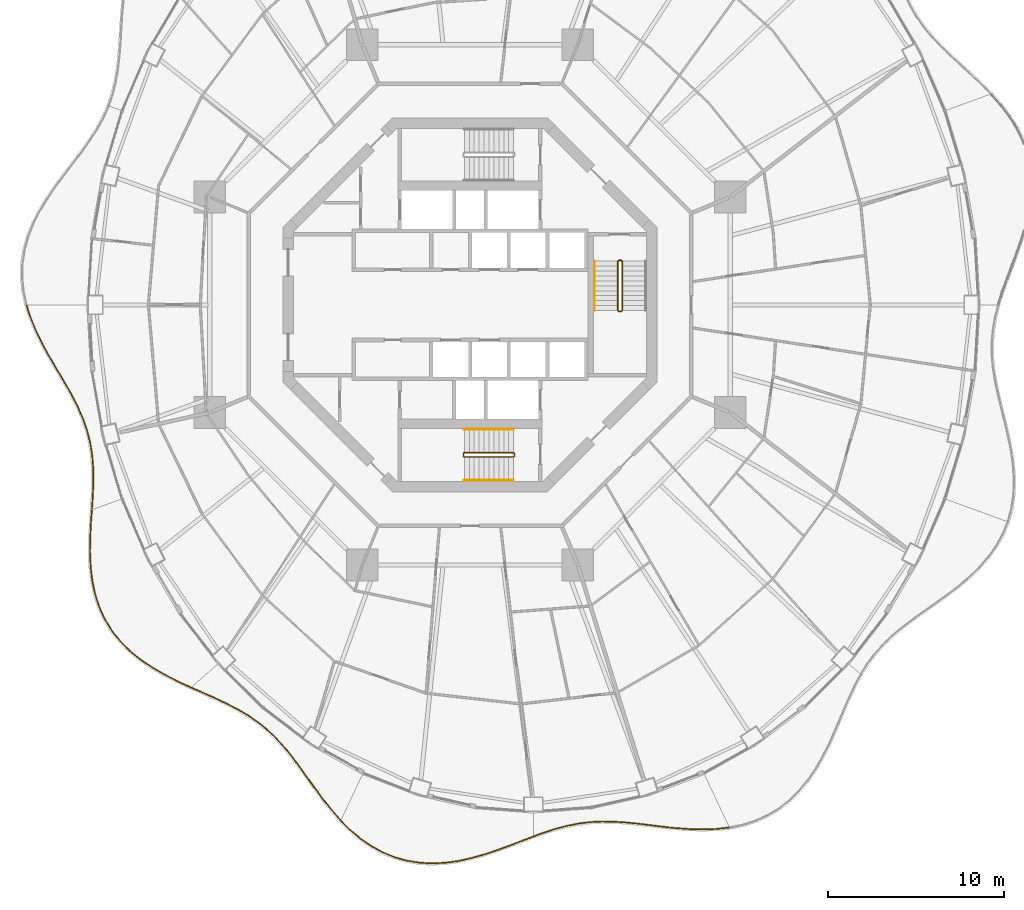
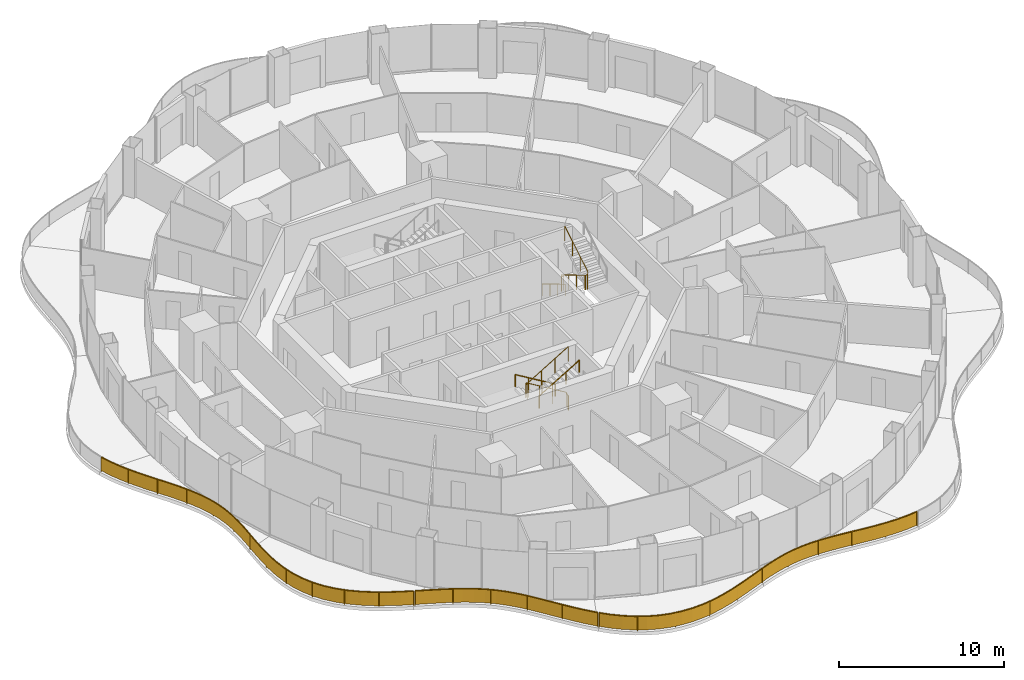
# One storey, part 17 of 19: 10 railings.
"""IFC4 building model written with IfcOpenShell, lengths in metres."""

from ifc_helpers import new_model, si_unit, direction, frame, origin, origin_2d, place, context, subcontext, project, spatial, polyline, rectangle, circle, outline, extrude, material, type_object, element, save


model = new_model("IFC4")

# Units and contexts
model_context = context("Model", 3, precision=1e-05, world=origin(), true_north=direction((0.0, 1.0)))
body_context = subcontext(model_context, "Body", "Model", "MODEL_VIEW")
ifc_project = project(units=[si_unit("LENGTHUNIT", "METRE"), si_unit("AREAUNIT", "SQUARE_METRE"), si_unit("VOLUMEUNIT", "CUBIC_METRE"), si_unit("PLANEANGLEUNIT", "RADIAN"), si_unit("MASSUNIT", "GRAM", prefix="KILO")], contexts=[model_context])

# Site, building, storey
site_placement = place(None, origin())
site = spatial("IfcSite", under=ifc_project, at=site_placement, CompositionType="ELEMENT")
building_placement = place(site_placement, origin())
building = spatial("IfcBuilding", under=site, at=building_placement, Name="Nagisa Residences", CompositionType="ELEMENT")
storey_placement = place(building_placement, frame((0.0, 0.0, 191.800048828125)))
storey = spatial("IfcBuildingStorey", under=building, at=storey_placement, Name="L48", CompositionType="ELEMENT", Elevation=191.800048828125)

# Railings
ifc_material_1 = material(Name="Stainless steel 316", Category="steel")
railing_type_1 = type_object("IfcRailingType", Name="BALCONY GUARD 1100", PredefinedType="BALUSTRADE", material=ifc_material_1)
railing_1_placement = place(storey_placement, frame((-25.190673828125, -0.036865234375, 0.0)))
element("IfcRailing", 1, at=railing_1_placement, inside=storey, type_object=railing_type_1, Name="guard:L48:bal08-0", PredefinedType="BALUSTRADE", context=body_context, shape_type="SweptSolid", body=[
    extrude(outline(polyline([(0.2607421875, -0.722900390625), (0.02392578125, 0.0078125), (-0.02392578125, -0.0078125), (0.2138671875, -0.740478515625), (0.53271484375, -1.5048828125), (0.903076171875, -2.253173828125), (1.30712890625, -2.984130859375), (1.724853515625, -3.69873046875), (2.1357421875, -4.38525390625), (2.525146484375, -5.074462890625), (2.875732421875, -5.75732421875), (3.17578125, -6.440185546875), (3.416259765625, -7.128173828125), (3.590087890625, -7.81396484375), (3.703857421875, -8.530029296875), (3.759765625, -9.2666015625), (3.766357421875, -10.0263671875), (3.736572265625, -10.809814453125), (3.6865234375, -11.5703125), (3.736328125, -11.57373046875), (3.786376953125, -10.812255859375), (3.816650390625, -10.02734375), (3.8095703125, -9.2646484375), (3.753662109375, -8.524169921875), (3.638916015625, -7.8037109375), (3.464111328125, -7.113525390625), (3.22216796875, -6.421630859375), (2.921142578125, -5.73583984375), (2.569091796875, -5.050537109375), (2.17919921875, -4.35986328125), (1.767822265625, -3.67333984375), (1.3505859375, -2.959228515625), (0.947509765625, -2.229736328125), (0.578125, -1.48388671875), (0.2607421875, -0.722900390625)])), frame((0.0, 0.0, 1.050048828125)), (0.0, 0.0, 1.0), 0.050048828125),
    extrude(outline(polyline([(0.243896484375, -0.729248046875), (0.006591796875, 0.002197265625), (-0.006591796875, -0.002197265625), (0.230712890625, -0.734130859375), (0.549072265625, -1.497314453125), (0.919189453125, -2.24462890625), (1.32275390625, -2.97509765625), (1.740234375, -3.689697265625), (2.1513671875, -4.3759765625), (2.541015625, -5.06591796875), (2.89208984375, -5.74951171875), (3.1923828125, -6.43359375), (3.43359375, -7.122802734375), (3.607666015625, -7.810302734375), (3.7216796875, -8.52783203125), (3.777587890625, -9.265869140625), (3.784423828125, -10.02685546875), (3.75439453125, -10.810791015625), (3.704345703125, -11.571533203125), (3.718505859375, -11.572509765625), (3.7685546875, -10.811279296875), (3.798583984375, -10.02685546875), (3.791748046875, -9.265380859375), (3.73583984375, -8.5263671875), (3.621337890625, -7.807373046875), (3.44677734375, -7.118896484375), (3.20556640625, -6.42822265625), (2.90478515625, -5.74365234375), (2.55322265625, -5.05908203125), (2.16357421875, -4.369140625), (1.75244140625, -3.682373046875), (1.3349609375, -2.96826171875), (0.931396484375, -2.23828125), (0.561767578125, -1.491455078125), (0.243896484375, -0.729248046875)])), frame((0.0, 0.0, 0.06005859375)), (0.0, 0.0, 1.0), 0.989990234375),
    extrude(rectangle(XDim=0.0400390625, YDim=0.0400390625, at=origin_2d()), origin(), (0.0, 0.0, 1.0), 1.050048828125),
    extrude(rectangle(XDim=0.0400390625, YDim=0.0400390625, at=origin_2d()), frame((0.765625, -1.919189453125, 0.0)), (0.0, 0.0, 1.0), 1.050048828125),
    extrude(rectangle(XDim=0.0400390625, YDim=0.0400390625, at=origin_2d()), frame((1.77099609375, -3.727294921875, 0.0)), (0.0, 0.0, 1.0), 1.050048828125),
    extrude(rectangle(XDim=0.0400390625, YDim=0.0400390625, at=origin_2d()), frame((2.786865234375, -5.529541015625, 0.0)), (0.0, 0.0, 1.0), 1.050048828125),
    extrude(rectangle(XDim=0.0400390625, YDim=0.0400390625, at=origin_2d()), frame((3.525390625, -7.45751953125, 0.0)), (0.0, 0.0, 1.0), 1.050048828125),
    extrude(rectangle(XDim=0.0400390625, YDim=0.0400390625, at=origin_2d()), frame((3.786865234375, -9.504638671875, 0.0)), (0.0, 0.0, 1.0), 1.050048828125),
    extrude(rectangle(XDim=0.0400390625, YDim=0.0400390625, at=origin_2d()), frame((3.71142578125, -11.572021484375, 0.0)), (0.0, 0.0, 1.0), 1.050048828125),
])
railing_2_placement = place(storey_placement, frame((-21.486083984375, -11.684326171875, 0.0)))
element("IfcRailing", 2, at=railing_2_placement, inside=storey, type_object=railing_type_1, Name="guard:L48:bal09-0", PredefinedType="BALUSTRADE", context=body_context, shape_type="SweptSolid", body=[
    extrude(outline(polyline([(-0.027587890625, -0.75439453125), (0.02490234375, -0.001708984375), (-0.02490234375, 0.001708984375), (-0.077392578125, -0.75146484375), (-0.11767578125, -1.560546875), (-0.128662109375, -2.374267578125), (-0.093994140625, -3.184326171875), (-0.000732421875, -3.98193359375), (0.15576171875, -4.744873046875), (0.396728515625, -5.490234375), (0.7197265625, -6.196533203125), (1.125732421875, -6.857177734375), (1.61083984375, -7.46728515625), (2.16064453125, -8.01220703125), (2.781005859375, -8.5146484375), (3.45263671875, -8.96728515625), (4.1611328125, -9.374755859375), (4.892578125, -9.744384765625), (5.59130859375, -10.064697265625), (5.6123046875, -10.019287109375), (4.9140625, -9.699462890625), (4.18505859375, -9.330810546875), (3.47900390625, -8.9248046875), (2.810791015625, -8.474609375), (2.1943359375, -7.97509765625), (1.64794921875, -7.43359375), (1.166748046875, -6.828369140625), (0.76416015625, -6.173095703125), (0.443603515625, -5.47216796875), (0.2041015625, -4.732177734375), (0.048583984375, -3.97412109375), (-0.044189453125, -3.180419921875), (-0.078369140625, -2.373291015625), (-0.06787109375, -1.56201171875), (-0.027587890625, -0.75439453125)])), frame((0.0, 0.0, 1.050048828125)), (0.0, 0.0, 1.0), 0.050048828125),
    extrude(outline(polyline([(-0.04541015625, -0.75341796875), (0.007080078125, -0.00048828125), (-0.007080078125, 0.00048828125), (-0.0595703125, -0.75244140625), (-0.099853515625, -1.56103515625), (-0.110595703125, -2.373779296875), (-0.076171875, -3.182861328125), (0.01708984375, -3.979248046875), (0.173095703125, -4.740234375), (0.41357421875, -5.483642578125), (0.73583984375, -6.188232421875), (1.140380859375, -6.8466796875), (1.624267578125, -7.455078125), (2.1728515625, -7.998779296875), (2.791748046875, -8.500244140625), (3.462158203125, -8.951904296875), (4.169677734375, -9.35888671875), (4.900390625, -9.728271484375), (5.598876953125, -10.04833984375), (5.604736328125, -10.03564453125), (4.90625, -9.715576171875), (4.176513671875, -9.3466796875), (3.469482421875, -8.940185546875), (2.800048828125, -8.489013671875), (2.18212890625, -7.988525390625), (1.634521484375, -7.44580078125), (1.152099609375, -6.8388671875), (0.748046875, -6.181396484375), (0.4267578125, -5.478759765625), (0.186767578125, -4.73681640625), (0.03076171875, -3.976806640625), (-0.06201171875, -3.181884765625), (-0.096435546875, -2.373779296875), (-0.085693359375, -1.5615234375), (-0.04541015625, -0.75341796875)])), frame((0.0, 0.0, 0.06005859375)), (0.0, 0.0, 1.0), 0.989990234375),
    extrude(rectangle(XDim=0.0400390625, YDim=0.0400390625, at=origin_2d()), origin(), (0.0, 0.0, 1.0), 1.050048828125),
    extrude(rectangle(XDim=0.0400390625, YDim=0.0400390625, at=origin_2d()), frame((-0.099853515625, -2.1044921875, 0.0)), (0.0, 0.0, 1.0), 1.050048828125),
    extrude(rectangle(XDim=0.0400390625, YDim=0.0400390625, at=origin_2d()), frame((0.069580078125, -4.200927734375, 0.0)), (0.0, 0.0, 1.0), 1.050048828125),
    extrude(rectangle(XDim=0.0400390625, YDim=0.0400390625, at=origin_2d()), frame((0.744140625, -6.1884765625, 0.0)), (0.0, 0.0, 1.0), 1.050048828125),
    extrude(rectangle(XDim=0.0400390625, YDim=0.0400390625, at=origin_2d()), frame((2.029296875, -7.846923828125, 0.0)), (0.0, 0.0, 1.0), 1.050048828125),
    extrude(rectangle(XDim=0.0400390625, YDim=0.0400390625, at=origin_2d()), frame((3.7216796875, -9.09326171875, 0.0)), (0.0, 0.0, 1.0), 1.050048828125),
    extrude(rectangle(XDim=0.0400390625, YDim=0.0400390625, at=origin_2d()), frame((5.601806640625, -10.0419921875, 0.0)), (0.0, 0.0, 1.0), 1.050048828125),
])
railing_3_placement = place(storey_placement, frame((-15.814208984375, -21.75634765625, 0.0)))
element("IfcRailing", 3, at=railing_3_placement, inside=storey, type_object=railing_type_1, Name="guard:L48:bal10-0", PredefinedType="BALUSTRADE", context=body_context, shape_type="SweptSolid", body=[
    extrude(outline(polyline([(0.668701171875, -0.266357421875), (0.010009765625, 0.02294921875), (-0.010009765625, -0.02294921875), (0.648193359375, -0.312255859375), (1.331298828125, -0.6171875), (1.98974609375, -0.927734375), (2.6171875, -1.25439453125), (3.20947265625, -1.60595703125), (3.753173828125, -1.979736328125), (4.273681640625, -2.40234375), (4.76318359375, -2.86669921875), (5.22705078125, -3.373291015625), (5.673095703125, -3.91943359375), (6.095947265625, -4.4912109375), (6.533203125, -5.09912109375), (6.9794921875, -5.722900390625), (7.444091796875, -6.3505859375), (7.934814453125, -6.968505859375), (8.4248046875, -7.52783203125), (8.46240234375, -7.49462890625), (7.973388671875, -6.936279296875), (7.483642578125, -6.3203125), (7.02001953125, -5.693603515625), (6.57373046875, -5.06982421875), (6.136474609375, -4.4619140625), (5.712646484375, -3.888671875), (5.26513671875, -3.340576171875), (4.798828125, -2.83154296875), (4.306884765625, -2.36474609375), (3.782958984375, -1.939697265625), (3.236328125, -1.56396484375), (2.6416015625, -1.21044921875), (2.01220703125, -0.8828125), (1.352294921875, -0.57177734375), (0.668701171875, -0.266357421875)])), frame((0.0, 0.0, 1.050048828125)), (0.0, 0.0, 1.0), 0.050048828125),
    extrude(outline(polyline([(0.661376953125, -0.282958984375), (0.0029296875, 0.00634765625), (-0.0029296875, -0.00634765625), (0.655517578125, -0.295654296875), (1.3388671875, -0.600830078125), (1.997802734375, -0.91162109375), (2.6259765625, -1.238525390625), (3.21923828125, -1.5908203125), (3.763916015625, -1.96533203125), (4.28564453125, -2.388916015625), (4.776123046875, -2.85400390625), (5.24072265625, -3.361572265625), (5.687255859375, -3.908447265625), (6.110595703125, -4.480712890625), (6.5478515625, -5.088623046875), (6.994140625, -5.71240234375), (7.458251953125, -6.339599609375), (7.94873046875, -6.956787109375), (8.438232421875, -7.515869140625), (8.448974609375, -7.506591796875), (7.95947265625, -6.947998046875), (7.469482421875, -6.331298828125), (7.00537109375, -5.7041015625), (6.55908203125, -5.080322265625), (6.121826171875, -4.472412109375), (5.698486328125, -3.899658203125), (5.25146484375, -3.352294921875), (4.785888671875, -2.84423828125), (4.294921875, -2.378173828125), (3.772216796875, -1.9541015625), (3.2265625, -1.5791015625), (2.6328125, -1.226318359375), (2.004150390625, -0.89892578125), (1.3447265625, -0.588134765625), (0.661376953125, -0.282958984375)])), frame((0.0, 0.0, 0.06005859375)), (0.0, 0.0, 1.0), 0.989990234375),
    extrude(rectangle(XDim=0.0400390625, YDim=0.0400390625, at=origin_2d()), origin(), (0.0, 0.0, 1.0), 1.050048828125),
    extrude(rectangle(XDim=0.0400390625, YDim=0.0400390625, at=origin_2d()), frame((2.099853515625, -0.956787109375, 0.0)), (0.0, 0.0, 1.0), 1.050048828125),
    extrude(rectangle(XDim=0.0400390625, YDim=0.0400390625, at=origin_2d()), frame((4.046875, -2.18603515625, 0.0)), (0.0, 0.0, 1.0), 1.050048828125),
    extrude(rectangle(XDim=0.0400390625, YDim=0.0400390625, at=origin_2d()), frame((5.644287109375, -3.844482421875, 0.0)), (0.0, 0.0, 1.0), 1.050048828125),
    extrude(rectangle(XDim=0.0400390625, YDim=0.0400390625, at=origin_2d()), frame((7.001708984375, -5.7109375, 0.0)), (0.0, 0.0, 1.0), 1.050048828125),
    extrude(rectangle(XDim=0.0400390625, YDim=0.0400390625, at=origin_2d()), frame((8.443603515625, -7.51123046875, 0.0)), (0.0, 0.0, 1.0), 1.050048828125),
])
railing_4_placement = place(storey_placement, frame((-7.318603515625, -29.32470703125, 0.0)))
element("IfcRailing", 4, at=railing_4_placement, inside=storey, type_object=railing_type_1, Name="guard:L48:bal11-0", PredefinedType="BALUSTRADE", context=body_context, shape_type="SweptSolid", body=[
    extrude(outline(polyline([(0.519775390625, -0.484375), (0.017578125, 0.017578125), (-0.017578125, -0.017578125), (0.486083984375, -0.521484375), (1.0615234375, -1.0078125), (1.67431640625, -1.43505859375), (2.32177734375, -1.793212890625), (3.00146484375, -2.07568359375), (3.69189453125, -2.2724609375), (4.420166015625, -2.39306640625), (5.16357421875, -2.43359375), (5.91455078125, -2.3984375), (6.66748046875, -2.295654296875), (7.398193359375, -2.1318359375), (8.13623046875, -1.92431640625), (8.86083984375, -1.683837890625), (9.5693359375, -1.423828125), (10.260986328125, -1.15869140625), (10.893310546875, -0.915283203125), (10.875244140625, -0.868408203125), (10.242919921875, -1.11181640625), (9.5517578125, -1.376953125), (8.84423828125, -1.636474609375), (8.12158203125, -1.87646484375), (7.385986328125, -2.08349609375), (6.65869140625, -2.246337890625), (5.91015625, -2.3486328125), (5.16357421875, -2.38330078125), (4.425537109375, -2.34326171875), (3.70263671875, -2.2236328125), (3.01806640625, -2.0283203125), (2.34375, -1.748291015625), (1.70068359375, -1.392578125), (1.09228515625, -0.96826171875), (0.519775390625, -0.484375)])), frame((0.0, 0.0, 1.050048828125)), (0.0, 0.0, 1.0), 0.050048828125),
    extrude(outline(polyline([(0.507568359375, -0.497802734375), (0.0048828125, 0.0048828125), (-0.0048828125, -0.0048828125), (0.498291015625, -0.508056640625), (1.07275390625, -0.99365234375), (1.683837890625, -1.419677734375), (2.329833984375, -1.777099609375), (3.007568359375, -2.05859375), (3.69580078125, -2.2548828125), (4.422119140625, -2.375244140625), (5.16357421875, -2.41552734375), (5.9130859375, -2.380615234375), (6.664306640625, -2.27783203125), (7.393798828125, -2.114501953125), (8.130859375, -1.906982421875), (8.854736328125, -1.666748046875), (9.56298828125, -1.406982421875), (10.25439453125, -1.141845703125), (10.88671875, -0.8984375), (10.8818359375, -0.88525390625), (10.24951171875, -1.128662109375), (9.55810546875, -1.393798828125), (8.850341796875, -1.653564453125), (8.126953125, -1.893798828125), (7.390380859375, -2.100830078125), (6.661865234375, -2.26416015625), (5.91162109375, -2.366455078125), (5.16357421875, -2.4013671875), (4.423583984375, -2.361083984375), (3.69873046875, -2.2412109375), (3.011962890625, -2.04541015625), (2.335693359375, -1.764404296875), (1.691162109375, -1.407958984375), (1.0810546875, -0.982421875), (0.507568359375, -0.497802734375)])), frame((0.0, 0.0, 0.06005859375)), (0.0, 0.0, 1.0), 0.989990234375),
    extrude(rectangle(XDim=0.0400390625, YDim=0.0400390625, at=origin_2d()), origin(), (0.0, 0.0, 1.0), 1.050048828125),
    extrude(rectangle(XDim=0.0400390625, YDim=0.0400390625, at=origin_2d()), frame((1.825439453125, -1.490234375, 0.0)), (0.0, 0.0, 1.0), 1.050048828125),
    extrude(rectangle(XDim=0.0400390625, YDim=0.0400390625, at=origin_2d()), frame((4.02978515625, -2.30322265625, 0.0)), (0.0, 0.0, 1.0), 1.050048828125),
    extrude(rectangle(XDim=0.0400390625, YDim=0.0400390625, at=origin_2d()), frame((6.383056640625, -2.309326171875, 0.0)), (0.0, 0.0, 1.0), 1.050048828125),
    extrude(rectangle(XDim=0.0400390625, YDim=0.0400390625, at=origin_2d()), frame((8.669677734375, -1.720947265625, 0.0)), (0.0, 0.0, 1.0), 1.050048828125),
    extrude(rectangle(XDim=0.0400390625, YDim=0.0400390625, at=origin_2d()), frame((10.88427734375, -0.891845703125, 0.0)), (0.0, 0.0, 1.0), 1.050048828125),
])
railing_5_placement = place(storey_placement, frame((3.634521484375, -30.188720703125, 0.0)))
element("IfcRailing", 5, at=railing_5_placement, inside=storey, type_object=railing_type_1, Name="guard:L48:bal12-0", PredefinedType="BALUSTRADE", context=body_context, shape_type="SweptSolid", body=[
    extrude(outline(polyline([(0.610107421875, 0.2470703125), (-0.008544921875, 0.0234375), (0.008544921875, -0.0234375), (0.626220703125, 0.19970703125), (1.27587890625, 0.406005859375), (1.919189453125, 0.573974609375), (2.560546875, 0.698486328125), (3.20556640625, 0.777099609375), (3.841064453125, 0.807861328125), (4.507080078125, 0.800048828125), (5.189208984375, 0.7568359375), (5.88916015625, 0.6875), (6.607421875, 0.602783203125), (7.32666015625, 0.510009765625), (8.076904296875, 0.431884765625), (8.836669921875, 0.377197265625), (9.6005859375, 0.357666015625), (10.361328125, 0.3857421875), (11.0634765625, 0.46337890625), (11.05810546875, 0.51318359375), (10.357421875, 0.435546875), (9.60009765625, 0.407958984375), (8.839111328125, 0.427001953125), (8.081298828125, 0.481689453125), (7.33251953125, 0.559814453125), (6.61376953125, 0.652587890625), (5.89453125, 0.7373046875), (5.193115234375, 0.806640625), (4.509033203125, 0.849853515625), (3.840087890625, 0.858154296875), (3.201171875, 0.826904296875), (2.552734375, 0.747802734375), (1.907958984375, 0.622802734375), (1.26220703125, 0.453857421875), (0.610107421875, 0.2470703125)])), frame((0.0, 0.0, 1.050048828125)), (0.0, 0.0, 1.0), 0.050048828125),
    extrude(outline(polyline([(0.615966796875, 0.22998046875), (-0.00244140625, 0.006591796875), (0.00244140625, -0.006591796875), (0.620361328125, 0.216796875), (1.27099609375, 0.423095703125), (1.9150390625, 0.591552734375), (2.5576171875, 0.71630859375), (3.203857421875, 0.794921875), (3.8408203125, 0.825927734375), (4.5078125, 0.81787109375), (5.190673828125, 0.774658203125), (5.89111328125, 0.705322265625), (6.609619140625, 0.620849609375), (7.328857421875, 0.528076171875), (8.078369140625, 0.44970703125), (8.837646484375, 0.39501953125), (9.600341796875, 0.375732421875), (10.35986328125, 0.403564453125), (11.0615234375, 0.4814453125), (11.06005859375, 0.4951171875), (10.35888671875, 0.417724609375), (9.600341796875, 0.389892578125), (8.838134765625, 0.4091796875), (8.079833984375, 0.4638671875), (7.330322265625, 0.541748046875), (6.611572265625, 0.634521484375), (5.892578125, 0.719482421875), (5.191650390625, 0.788818359375), (4.50830078125, 0.83203125), (3.84033203125, 0.840087890625), (3.202880859375, 0.80908203125), (2.5556640625, 0.72998046875), (1.912109375, 0.605224609375), (1.26708984375, 0.436767578125), (0.615966796875, 0.22998046875)])), frame((0.0, 0.0, 0.06005859375)), (0.0, 0.0, 1.0), 0.989990234375),
    extrude(rectangle(XDim=0.0400390625, YDim=0.0400390625, at=origin_2d()), origin(), (0.0, 0.0, 1.0), 1.050048828125),
    extrude(rectangle(XDim=0.0400390625, YDim=0.0400390625, at=origin_2d()), frame((2.142578125, 0.642822265625, 0.0)), (0.0, 0.0, 1.0), 1.050048828125),
    extrude(rectangle(XDim=0.0400390625, YDim=0.0400390625, at=origin_2d()), frame((4.368896484375, 0.82666015625, 0.0)), (0.0, 0.0, 1.0), 1.050048828125),
    extrude(rectangle(XDim=0.0400390625, YDim=0.0400390625, at=origin_2d()), frame((6.5986328125, 0.629150390625, 0.0)), (0.0, 0.0, 1.0), 1.050048828125),
    extrude(rectangle(XDim=0.0400390625, YDim=0.0400390625, at=origin_2d()), frame((8.826171875, 0.40283203125, 0.0)), (0.0, 0.0, 1.0), 1.050048828125),
    extrude(rectangle(XDim=0.0400390625, YDim=0.0400390625, at=origin_2d()), frame((11.060791015625, 0.48828125, 0.0)), (0.0, 0.0, 1.0), 1.050048828125),
])
ifc_material_2 = material(Name="Stainless steel", Category="steel")
railing_type_2 = type_object("IfcRailingType", Name="Stair guard 1100", PredefinedType="GUARDRAIL", material=ifc_material_2)
railing_6_placement = place(storey_placement, frame((8.599609375, 2.52490234375, 0.0)))
element("IfcRailing", 6, at=railing_6_placement, inside=storey, type_object=railing_type_2, Name="L48 ST-E stair guard 1", PredefinedType="GUARDRAIL", context=body_context, shape_type="SweptSolid", body=[
    extrude(circle(Radius=0.02392578125, at=origin_2d()), frame((0.0, 0.0, 1.076171875), z_axis=(-1.0, 0.0, 0.0), x_axis=(0.0, -1.0, 0.0)), (0.0, 0.0, 1.0), 0.14990234375),
    extrude(circle(Radius=0.02392578125, at=origin_2d()), frame((-0.14990234375, 0.0, 1.076171875), z_axis=(-0.27434429532, -0.273006030465, 0.922064485248), x_axis=(0.705375805398, -0.708833529934, 0.0)), (0.0, 0.0, 1.0), 0.182373046875),
    extrude(circle(Radius=0.02392578125, at=origin_2d()), frame((-0.199951171875, -0.0498046875, 1.244140625), z_axis=(0.0, -0.857275202839, 0.514858452973), x_axis=(1.0, 0.0, 0.0)), (0.0, 0.0, 1.0), 3.26611328125),
    extrude(circle(Radius=0.02392578125, at=origin_2d()), frame((-0.199951171875, -2.849853515625, 2.92578125), z_axis=(0.707106781187, -0.707106781187, 0.0), x_axis=(0.707106781187, 0.707106781187, 0.0)), (0.0, 0.0, 1.0), 0.07080078125),
    extrude(circle(Radius=0.02392578125, at=origin_2d()), frame((-0.14990234375, -2.89990234375, 2.92578125), z_axis=(1.0, 0.0, 0.0), x_axis=(0.0, 1.0, 0.0)), (0.0, 0.0, 1.0), 0.14990234375),
    extrude(circle(Radius=0.02392578125, at=origin_2d()), frame((0.0, -2.89990234375, 2.92578125), z_axis=(0.274243871929, 0.274243871929, 0.92172696468), x_axis=(-0.707106781187, 0.707106781187, 0.0)), (0.0, 0.0, 1.0), 0.1826171875),
    extrude(circle(Radius=0.02392578125, at=origin_2d()), frame((0.050048828125, -2.849853515625, 3.09423828125), z_axis=(0.0, 0.857242210791, 0.514913383045), x_axis=(-1.0, 0.0, 0.0)), (0.0, 0.0, 1.0), 3.266357421875),
    extrude(circle(Radius=0.02099609375, at=origin_2d()), origin(), (0.0, 0.0, 1.0), 1.052001953125),
    extrude(circle(Radius=0.02099609375, at=origin_2d()), frame((-0.14990234375, 0.0, 0.0)), (0.0, 0.0, 1.0), 1.052001953125),
    extrude(circle(Radius=0.02099609375, at=origin_2d()), frame((-0.199951171875, -0.0498046875, 0.168212890625)), (0.0, 0.0, 1.0), 1.052001953125),
    extrude(circle(Radius=0.02099609375, at=origin_2d()), frame((-0.199951171875, -0.983154296875, 0.728759765625)), (0.0, 0.0, 1.0), 1.052001953125),
    extrude(circle(Radius=0.02099609375, at=origin_2d()), frame((-0.199951171875, -1.91650390625, 1.289306640625)), (0.0, 0.0, 1.0), 1.052001953125),
    extrude(circle(Radius=0.02099609375, at=origin_2d()), frame((-0.199951171875, -2.849853515625, 1.849853515625)), (0.0, 0.0, 1.0), 1.052001953125),
    extrude(circle(Radius=0.02099609375, at=origin_2d()), frame((-0.14990234375, -2.89990234375, 1.849853515625)), (0.0, 0.0, 1.0), 1.052001953125),
    extrude(circle(Radius=0.02099609375, at=origin_2d()), frame((0.0, -2.89990234375, 1.849853515625)), (0.0, 0.0, 1.0), 1.052001953125),
    extrude(circle(Radius=0.02099609375, at=origin_2d()), frame((0.050048828125, -2.849853515625, 2.01806640625)), (0.0, 0.0, 1.0), 1.052001953125),
    extrude(circle(Radius=0.02099609375, at=origin_2d()), frame((0.050048828125, -1.91650390625, 2.57861328125)), (0.0, 0.0, 1.0), 1.052001953125),
    extrude(circle(Radius=0.02099609375, at=origin_2d()), frame((0.050048828125, -0.983154296875, 3.139404296875)), (0.0, 0.0, 1.0), 1.052001953125),
    extrude(circle(Radius=0.02099609375, at=origin_2d()), frame((0.050048828125, -0.0498046875, 3.699951171875)), (0.0, 0.0, 1.0), 1.052001953125),
])
railing_7_placement = place(storey_placement, frame((2.52490234375, -8.599609375, 0.0)))
element("IfcRailing", 7, at=railing_7_placement, inside=storey, type_object=railing_type_2, Name="L48 ST-S stair guard 1", PredefinedType="GUARDRAIL", context=body_context, shape_type="SweptSolid", body=[
    extrude(circle(Radius=0.02392578125, at=origin_2d()), frame((0.0, 0.0, 1.076171875), z_axis=(0.0, 1.0, 0.0), x_axis=(-1.0, 0.0, 0.0)), (0.0, 0.0, 1.0), 0.14990234375),
    extrude(circle(Radius=0.02392578125, at=origin_2d()), frame((0.0, 0.14990234375, 1.076171875), z_axis=(-0.273006030465, 0.27434429532, 0.922064485248), x_axis=(-0.708833529934, -0.705375805398, 0.0)), (0.0, 0.0, 1.0), 0.182373046875),
    extrude(circle(Radius=0.02392578125, at=origin_2d()), frame((-0.0498046875, 0.199951171875, 1.244140625), z_axis=(-0.857275202839, 0.0, 0.514858452973), x_axis=(0.0, -1.0, 0.0)), (0.0, 0.0, 1.0), 3.26611328125),
    extrude(circle(Radius=0.02392578125, at=origin_2d()), frame((-2.849853515625, 0.199951171875, 2.92578125), z_axis=(-0.707106781187, -0.707106781187, 0.0), x_axis=(0.707106781187, -0.707106781187, 0.0)), (0.0, 0.0, 1.0), 0.07080078125),
    extrude(circle(Radius=0.02392578125, at=origin_2d()), frame((-2.89990234375, 0.14990234375, 2.92578125), z_axis=(0.0, -1.0, 0.0), x_axis=(1.0, 0.0, 0.0)), (0.0, 0.0, 1.0), 0.14990234375),
    extrude(circle(Radius=0.02392578125, at=origin_2d()), frame((-2.89990234375, 0.0, 2.92578125), z_axis=(0.274243871929, -0.274243871929, 0.92172696468), x_axis=(0.707106781187, 0.707106781187, 0.0)), (0.0, 0.0, 1.0), 0.1826171875),
    extrude(circle(Radius=0.02392578125, at=origin_2d()), frame((-2.849853515625, -0.050048828125, 3.09423828125), z_axis=(0.857242210791, 0.0, 0.514913383045), x_axis=(0.0, 1.0, 0.0)), (0.0, 0.0, 1.0), 3.266357421875),
    extrude(circle(Radius=0.02099609375, at=origin_2d()), origin(), (0.0, 0.0, 1.0), 1.052001953125),
    extrude(circle(Radius=0.02099609375, at=origin_2d()), frame((0.0, 0.14990234375, 0.0)), (0.0, 0.0, 1.0), 1.052001953125),
    extrude(circle(Radius=0.02099609375, at=origin_2d()), frame((-0.0498046875, 0.199951171875, 0.168212890625)), (0.0, 0.0, 1.0), 1.052001953125),
    extrude(circle(Radius=0.02099609375, at=origin_2d()), frame((-0.983154296875, 0.199951171875, 0.728759765625)), (0.0, 0.0, 1.0), 1.052001953125),
    extrude(circle(Radius=0.02099609375, at=origin_2d()), frame((-1.91650390625, 0.199951171875, 1.289306640625)), (0.0, 0.0, 1.0), 1.052001953125),
    extrude(circle(Radius=0.02099609375, at=origin_2d()), frame((-2.849853515625, 0.199951171875, 1.849853515625)), (0.0, 0.0, 1.0), 1.052001953125),
    extrude(circle(Radius=0.02099609375, at=origin_2d()), frame((-2.89990234375, 0.14990234375, 1.849853515625)), (0.0, 0.0, 1.0), 1.052001953125),
    extrude(circle(Radius=0.02099609375, at=origin_2d()), frame((-2.89990234375, 0.0, 1.849853515625)), (0.0, 0.0, 1.0), 1.052001953125),
    extrude(circle(Radius=0.02099609375, at=origin_2d()), frame((-2.849853515625, -0.050048828125, 2.01806640625)), (0.0, 0.0, 1.0), 1.052001953125),
    extrude(circle(Radius=0.02099609375, at=origin_2d()), frame((-1.91650390625, -0.050048828125, 2.57861328125)), (0.0, 0.0, 1.0), 1.052001953125),
    extrude(circle(Radius=0.02099609375, at=origin_2d()), frame((-0.983154296875, -0.050048828125, 3.139404296875)), (0.0, 0.0, 1.0), 1.052001953125),
    extrude(circle(Radius=0.02099609375, at=origin_2d()), frame((-0.0498046875, -0.050048828125, 3.699951171875)), (0.0, 0.0, 1.0), 1.052001953125),
])
ifc_material_3 = material(Name="Stainless steel", Category="steel")
railing_type_3 = type_object("IfcRailingType", Name="Stair handrail 900", PredefinedType="HANDRAIL", material=ifc_material_3)
railing_8_placement = place(storey_placement, frame((7.07470703125, 2.47509765625, 0.168212890625)))
element("IfcRailing", 8, at=railing_8_placement, inside=storey, type_object=railing_type_3, Name="L48 ST-E stair handrail 1", PredefinedType="HANDRAIL", context=body_context, shape_type="SweptSolid", body=[
    extrude(circle(Radius=0.02392578125, at=origin_2d()), frame((0.0, 0.0, 0.8759765625), z_axis=(0.0, -0.857275202839, 0.514858452973), x_axis=(1.0, 0.0, 0.0)), (0.0, 0.0, 1.0), 3.26611328125),
    extrude(circle(Radius=0.02099609375, at=origin_2d()), origin(), (0.0, 0.0, 1.0), 0.851806640625),
    extrude(circle(Radius=0.02099609375, at=origin_2d()), frame((0.0, -0.933349609375, 0.560546875)), (0.0, 0.0, 1.0), 0.851806640625),
    extrude(circle(Radius=0.02099609375, at=origin_2d()), frame((0.0, -1.86669921875, 1.12109375)), (0.0, 0.0, 1.0), 0.851806640625),
    extrude(circle(Radius=0.02099609375, at=origin_2d()), frame((0.0, -2.800048828125, 1.681640625)), (0.0, 0.0, 1.0), 0.851806640625),
])
railing_9_placement = place(storey_placement, frame((2.47509765625, -7.07470703125, 0.168212890625)))
element("IfcRailing", 9, at=railing_9_placement, inside=storey, type_object=railing_type_3, Name="L48 ST-S stair handrail 1", PredefinedType="HANDRAIL", context=body_context, shape_type="SweptSolid", body=[
    extrude(circle(Radius=0.02392578125, at=origin_2d()), frame((0.0, 0.0, 0.8759765625), z_axis=(-0.857275202839, 0.0, 0.514858452973), x_axis=(0.0, -1.0, 0.0)), (0.0, 0.0, 1.0), 3.26611328125),
    extrude(circle(Radius=0.02099609375, at=origin_2d()), origin(), (0.0, 0.0, 1.0), 0.851806640625),
    extrude(circle(Radius=0.02099609375, at=origin_2d()), frame((-0.933349609375, 0.0, 0.560546875)), (0.0, 0.0, 1.0), 0.851806640625),
    extrude(circle(Radius=0.02099609375, at=origin_2d()), frame((-1.86669921875, 0.0, 1.12109375)), (0.0, 0.0, 1.0), 0.851806640625),
    extrude(circle(Radius=0.02099609375, at=origin_2d()), frame((-2.800048828125, 0.0, 1.681640625)), (0.0, 0.0, 1.0), 0.851806640625),
])
railing_10_placement = place(storey_placement, frame((-0.324951171875, -9.974609375, 2.01806640625)))
element("IfcRailing", 10, at=railing_10_placement, inside=storey, type_object=railing_type_3, Name="L48 ST-S stair handrail 2", PredefinedType="HANDRAIL", context=body_context, shape_type="SweptSolid", body=[
    extrude(circle(Radius=0.02392578125, at=origin_2d()), frame((0.0, 0.0, 0.8759765625), z_axis=(0.857242210791, 0.0, 0.514913383045), x_axis=(0.0, 1.0, 0.0)), (0.0, 0.0, 1.0), 3.266357421875),
    extrude(circle(Radius=0.02099609375, at=origin_2d()), origin(), (0.0, 0.0, 1.0), 0.851806640625),
    extrude(circle(Radius=0.02099609375, at=origin_2d()), frame((0.933349609375, 0.0, 0.560546875)), (0.0, 0.0, 1.0), 0.851806640625),
    extrude(circle(Radius=0.02099609375, at=origin_2d()), frame((1.86669921875, 0.0, 1.121337890625)), (0.0, 0.0, 1.0), 0.851806640625),
    extrude(circle(Radius=0.02099609375, at=origin_2d()), frame((2.800048828125, 0.0, 1.681884765625)), (0.0, 0.0, 1.0), 0.851806640625),
])

save(model, "model.ifc")
